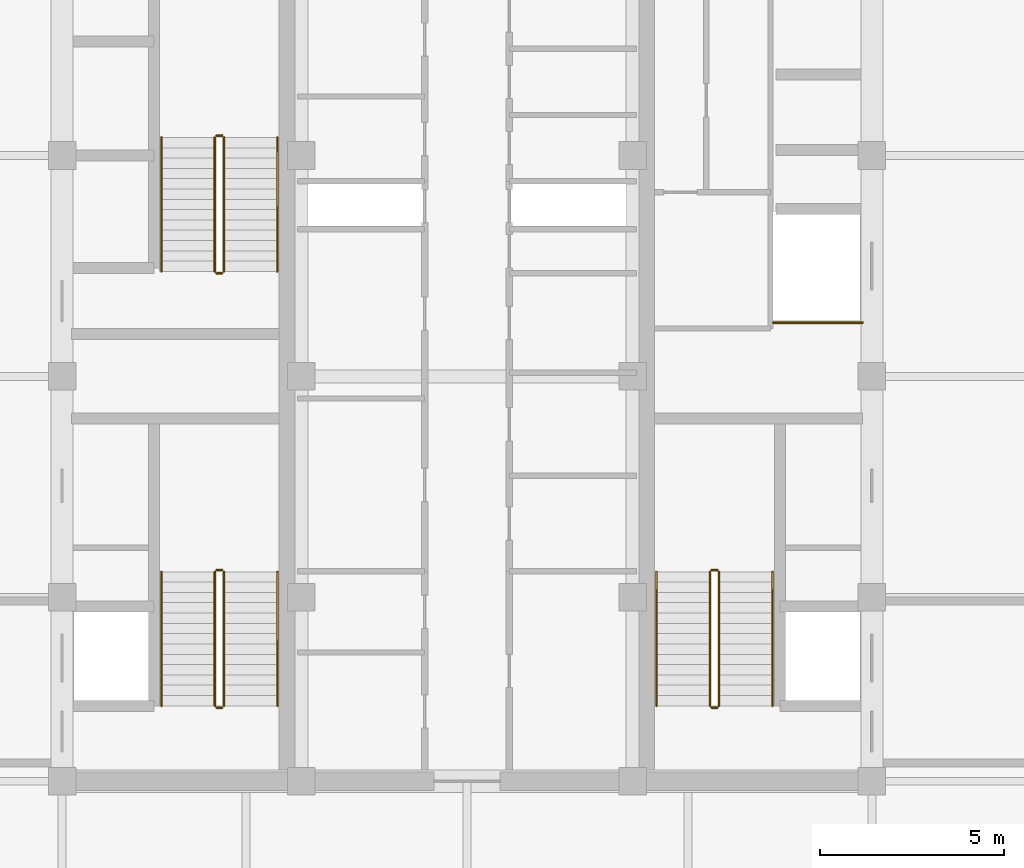
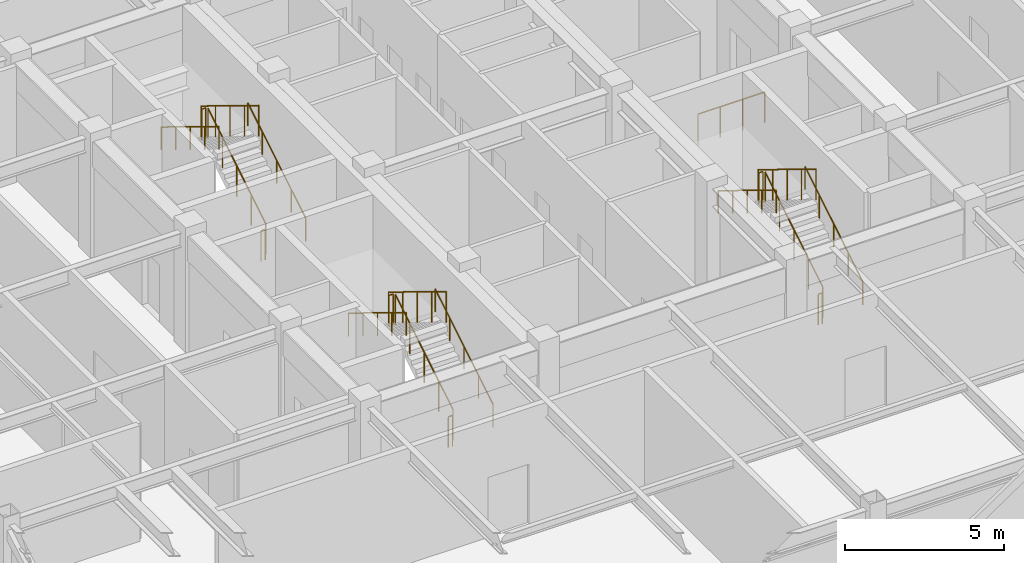
# One storey, part 27 of 27: 19 railings.
"""IFC4 building model written with IfcOpenShell, lengths in metres."""

from ifc_helpers import new_model, si_unit, direction, frame, origin, origin_2d, place, context, subcontext, project, spatial, circle, extrude, source, transform, mapped, material, type_object, element, save


model = new_model("IFC4")

# Units and contexts
model_context = context("Model", 3, precision=1e-05, world=origin(), true_north=direction((0.0, 1.0)))
body_context = subcontext(model_context, "Body", "Model", "MODEL_VIEW")
ifc_project = project(units=[si_unit("LENGTHUNIT", "METRE"), si_unit("AREAUNIT", "SQUARE_METRE"), si_unit("VOLUMEUNIT", "CUBIC_METRE"), si_unit("PLANEANGLEUNIT", "RADIAN"), si_unit("MASSUNIT", "GRAM", prefix="KILO")], contexts=[model_context])

# Site, building, storey
site_placement = place(None, origin())
site = spatial("IfcSite", under=ifc_project, at=site_placement, CompositionType="ELEMENT")
building_placement = place(site_placement, origin())
building = spatial("IfcBuilding", under=site, at=building_placement, Name="Khorayat Bourse Tower", CompositionType="ELEMENT")
storey_placement = place(building_placement, frame((0.0, 0.0, 380.300048828125)))
storey = spatial("IfcBuildingStorey", under=building, at=storey_placement, Name="L90", CompositionType="ELEMENT", Elevation=380.300048828125)

# Railings
ifc_material_1 = material(Name="Powder-coated steel balustrade", Category="steel")
railing_type_1 = type_object("IfcRailingType", Name="RLG-GUARD-1200", PredefinedType="GUARDRAIL", material=ifc_material_1)
shared_shape_1 = source(origin(), body_context, "Body", "SweptSolid", [
    extrude(circle(Radius=0.02392578125, at=origin_2d()), frame((0.0, 0.0, 1.17578125), z_axis=(0.0, 0.852850264322, 0.5221555579), x_axis=(-1.0, 0.0, 0.0)), (0.0, 0.0, 1.0), 4.267822265625),
    extrude(circle(Radius=0.02099609375, at=origin_2d()), origin(), (0.0, 0.0, 1.0), 1.15185546875),
    extrude(circle(Radius=0.02099609375, at=origin_2d()), frame((0.0, 0.909912109375, 0.55712890625)), (0.0, 0.0, 1.0), 1.15185546875),
    extrude(circle(Radius=0.02099609375, at=origin_2d()), frame((0.0, 1.81982421875, 1.1142578125)), (0.0, 0.0, 1.0), 1.15185546875),
    extrude(circle(Radius=0.02099609375, at=origin_2d()), frame((0.0, 2.72998046875, 1.67138671875)), (0.0, 0.0, 1.0), 1.15185546875),
    extrude(circle(Radius=0.02099609375, at=origin_2d()), frame((0.0, 3.639892578125, 2.228515625)), (0.0, 0.0, 1.0), 1.15185546875),
])
for number, where, name in (
    (1, (-6.60009765625, -8.949951171875, 0.17138671875), "L90 ST-1 stair guard 1"),
    (2, (-6.60009765625, 2.85009765625, 0.17138671875), "L90 ST-2 stair guard 1"),
    (3, (6.85009765625, -8.949951171875, 0.17138671875), "L90 ST-3 stair guard 1"),
):
    element("IfcRailing", number, at=place(storey_placement, frame(where)), inside=storey, type_object=railing_type_1, Name=name, PredefinedType="GUARDRAIL", context=body_context, shape_type="MappedRepresentation", body=[
        mapped(shared_shape_1, transform((0.0, 0.0, 0.0), scale=1.0)),
    ])
shared_shape_2 = source(origin(), body_context, "Body", "SweptSolid", [
    extrude(circle(Radius=0.02392578125, at=origin_2d()), frame((0.0, 0.0, 1.17578125), z_axis=(-1.0, 0.0, 0.0), x_axis=(0.0, -1.0, 0.0)), (0.0, 0.0, 1.0), 0.150146484375),
    extrude(circle(Radius=0.02099609375, at=origin_2d()), origin(), (0.0, 0.0, 1.0), 1.15185546875),
    extrude(circle(Radius=0.02099609375, at=origin_2d()), frame((-0.150146484375, 0.0, 0.0)), (0.0, 0.0, 1.0), 1.15185546875),
])
for number, where, name in (
    (4, (-6.64990234375, -5.260009765625, 2.39990234375), "L90 ST-1 stair guard 2"),
    (5, (-6.64990234375, -9.0, 0.0), "L90 ST-1 stair guard 4"),
    (6, (-6.64990234375, 6.5400390625, 2.39990234375), "L90 ST-2 stair guard 2"),
    (7, (-6.64990234375, 2.800048828125, 0.0), "L90 ST-2 stair guard 4"),
    (8, (6.800048828125, -5.260009765625, 2.39990234375), "L90 ST-3 stair guard 2"),
    (9, (6.800048828125, -9.0, 0.0), "L90 ST-3 stair guard 4"),
):
    element("IfcRailing", number, at=place(storey_placement, frame(where)), inside=storey, type_object=railing_type_1, Name=name, PredefinedType="GUARDRAIL", context=body_context, shape_type="MappedRepresentation", body=[
        mapped(shared_shape_2, transform((0.0, 0.0, 0.0), scale=1.0)),
    ])
ifc_material_2 = material(Name="Brushed bronze stainless-steel handrail", Category="steel")
railing_type_2 = type_object("IfcRailingType", Name="RLG-HAND-900", PredefinedType="HANDRAIL", material=ifc_material_2)
shared_shape_3 = source(origin(), body_context, "Body", "SweptSolid", [
    extrude(circle(Radius=0.02392578125, at=origin_2d()), frame((0.0, 0.0, 0.8759765625), z_axis=(0.0, 0.852850264322, 0.5221555579), x_axis=(-1.0, 0.0, 0.0)), (0.0, 0.0, 1.0), 4.267822265625),
    extrude(circle(Radius=0.02099609375, at=origin_2d()), origin(), (0.0, 0.0, 1.0), 0.851806640625),
    extrude(circle(Radius=0.02099609375, at=origin_2d()), frame((0.0, 0.909912109375, 0.55712890625)), (0.0, 0.0, 1.0), 0.851806640625),
    extrude(circle(Radius=0.02099609375, at=origin_2d()), frame((0.0, 1.81982421875, 1.1142578125)), (0.0, 0.0, 1.0), 0.851806640625),
    extrude(circle(Radius=0.02099609375, at=origin_2d()), frame((0.0, 2.72998046875, 1.67138671875)), (0.0, 0.0, 1.0), 0.851806640625),
    extrude(circle(Radius=0.02099609375, at=origin_2d()), frame((0.0, 3.639892578125, 2.228515625)), (0.0, 0.0, 1.0), 0.851806640625),
])
for number, where, name in (
    (10, (-5.14990234375, -8.949951171875, 0.17138671875), "L90 ST-1 stair handrail 1"),
    (11, (-5.14990234375, 2.85009765625, 0.17138671875), "L90 ST-2 stair handrail 1"),
    (12, (8.300048828125, -8.949951171875, 0.17138671875), "L90 ST-3 stair handrail 1"),
):
    element("IfcRailing", number, at=place(storey_placement, frame(where)), inside=storey, type_object=railing_type_2, Name=name, PredefinedType="HANDRAIL", context=body_context, shape_type="MappedRepresentation", body=[
        mapped(shared_shape_3, transform((0.0, 0.0, 0.0), scale=1.0)),
    ])
shared_shape_4 = source(origin(), body_context, "Body", "SweptSolid", [
    extrude(circle(Radius=0.02392578125, at=origin_2d()), frame((0.0, 0.0, 1.17578125), z_axis=(0.0, -0.852824790078, 0.522197163366), x_axis=(1.0, 0.0, 0.0)), (0.0, 0.0, 1.0), 4.26806640625),
    extrude(circle(Radius=0.02099609375, at=origin_2d()), origin(), (0.0, 0.0, 1.0), 1.15185546875),
    extrude(circle(Radius=0.02099609375, at=origin_2d()), frame((0.0, -0.909912109375, 0.55712890625)), (0.0, 0.0, 1.0), 1.15185546875),
    extrude(circle(Radius=0.02099609375, at=origin_2d()), frame((0.0, -1.81982421875, 1.1142578125)), (0.0, 0.0, 1.0), 1.15185546875),
    extrude(circle(Radius=0.02099609375, at=origin_2d()), frame((0.0, -2.72998046875, 1.671630859375)), (0.0, 0.0, 1.0), 1.15185546875),
    extrude(circle(Radius=0.02099609375, at=origin_2d()), frame((0.0, -3.639892578125, 2.228759765625)), (0.0, 0.0, 1.0), 1.15185546875),
])
for number, where, name in (
    (13, (-6.85009765625, -5.31005859375, 2.5712890625), "L90 ST-1 stair guard 3"),
    (14, (-6.85009765625, 6.489990234375, 2.5712890625), "L90 ST-2 stair guard 3"),
    (15, (6.60009765625, -5.31005859375, 2.5712890625), "L90 ST-3 stair guard 3"),
):
    element("IfcRailing", number, at=place(storey_placement, frame(where)), inside=storey, type_object=railing_type_1, Name=name, PredefinedType="GUARDRAIL", context=body_context, shape_type="MappedRepresentation", body=[
        mapped(shared_shape_4, transform((0.0, 0.0, 0.0), scale=1.0)),
    ])
shared_shape_5 = source(origin(), body_context, "Body", "SweptSolid", [
    extrude(circle(Radius=0.02392578125, at=origin_2d()), frame((0.0, 0.0, 0.8759765625), z_axis=(0.0, -0.852824790078, 0.522197163366), x_axis=(1.0, 0.0, 0.0)), (0.0, 0.0, 1.0), 4.26806640625),
    extrude(circle(Radius=0.02099609375, at=origin_2d()), origin(), (0.0, 0.0, 1.0), 0.851806640625),
    extrude(circle(Radius=0.02099609375, at=origin_2d()), frame((0.0, -0.909912109375, 0.55712890625)), (0.0, 0.0, 1.0), 0.851806640625),
    extrude(circle(Radius=0.02099609375, at=origin_2d()), frame((0.0, -1.81982421875, 1.1142578125)), (0.0, 0.0, 1.0), 0.851806640625),
    extrude(circle(Radius=0.02099609375, at=origin_2d()), frame((0.0, -2.72998046875, 1.671630859375)), (0.0, 0.0, 1.0), 0.851806640625),
    extrude(circle(Radius=0.02099609375, at=origin_2d()), frame((0.0, -3.639892578125, 2.228759765625)), (0.0, 0.0, 1.0), 0.851806640625),
])
for number, where, name in (
    (16, (-8.300048828125, -5.31005859375, 2.5712890625), "L90 ST-1 stair handrail 2"),
    (17, (-8.300048828125, 6.489990234375, 2.5712890625), "L90 ST-2 stair handrail 2"),
    (18, (5.14990234375, -5.31005859375, 2.5712890625), "L90 ST-3 stair handrail 2"),
):
    element("IfcRailing", number, at=place(storey_placement, frame(where)), inside=storey, type_object=railing_type_2, Name=name, PredefinedType="HANDRAIL", context=body_context, shape_type="MappedRepresentation", body=[
        mapped(shared_shape_5, transform((0.0, 0.0, 0.0), scale=1.0)),
    ])
shared_shape_6 = source(origin(), body_context, "Body", "SweptSolid", [
    extrude(circle(Radius=0.02392578125, at=origin_2d()), frame((0.0, 0.0, 1.17578125), z_axis=(1.0, 0.0, 0.0), x_axis=(0.0, 1.0, 0.0)), (0.0, 0.0, 1.0), 2.429931640625),
    extrude(circle(Radius=0.02099609375, at=origin_2d()), origin(), (0.0, 0.0, 1.0), 1.15185546875),
    extrude(circle(Radius=0.02099609375, at=origin_2d()), frame((0.81005859375, 0.0, 0.0)), (0.0, 0.0, 1.0), 1.15185546875),
    extrude(circle(Radius=0.02099609375, at=origin_2d()), frame((1.619873046875, 0.0, 0.0)), (0.0, 0.0, 1.0), 1.15185546875),
    extrude(circle(Radius=0.02099609375, at=origin_2d()), frame((2.429931640625, 0.0, 0.0)), (0.0, 0.0, 1.0), 1.15185546875),
])
railing_placement = place(storey_placement, frame((8.320068359375, 1.4599609375, 0.0)))
element("IfcRailing", 19, at=railing_placement, inside=storey, type_object=railing_type_1, Name="L90 Goods Shaft Opening Guardrail", PredefinedType="GUARDRAIL", context=body_context, shape_type="MappedRepresentation", body=[
    mapped(shared_shape_6, transform((0.0, 0.0, 0.0), scale=1.0)),
])

save(model, "model.ifc")
